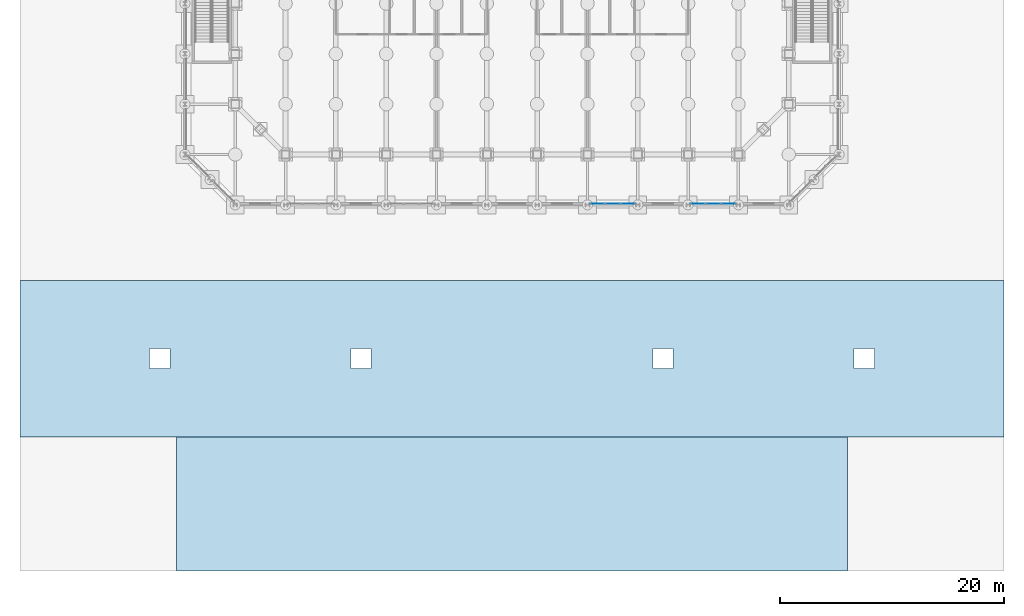
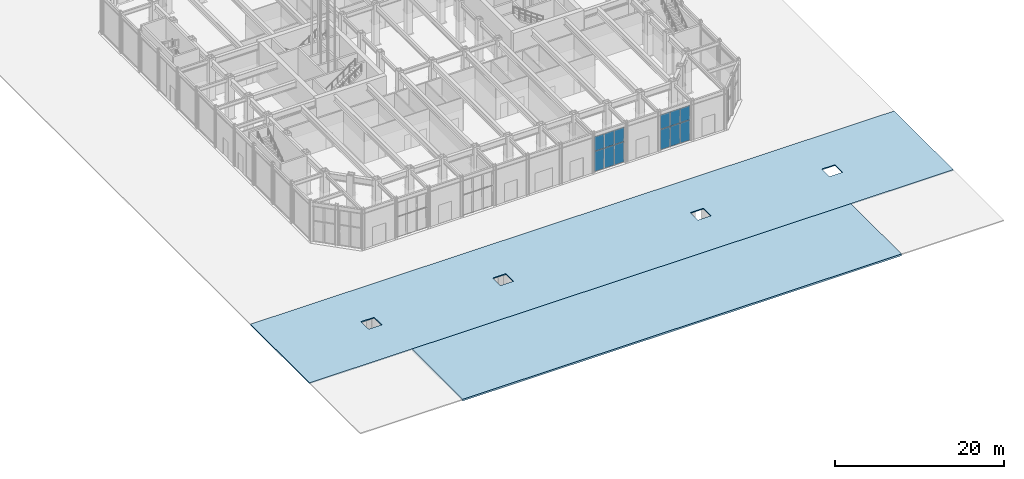
# One storey, part 14 of 39: 12 plates, 2 slabs, 2 elements without a shape of their own.
"""IFC4 building model written with IfcOpenShell, lengths in metres."""

from ifc_helpers import new_model, si_unit, direction, frame, origin, origin_2d, place, context, subcontext, project, spatial, polyline, rectangle, outline, extrude, material, layer, layer_set, type_object, element, aggregate, save


model = new_model("IFC4")

# Units and contexts
model_context = context("Model", 3, precision=1e-05, world=origin(), true_north=direction((0.0, 1.0)))
body_context = subcontext(model_context, "Body", "Model", "MODEL_VIEW")
ifc_project = project(units=[si_unit("LENGTHUNIT", "METRE"), si_unit("AREAUNIT", "SQUARE_METRE"), si_unit("VOLUMEUNIT", "CUBIC_METRE"), si_unit("PLANEANGLEUNIT", "RADIAN"), si_unit("MASSUNIT", "GRAM", prefix="KILO")], contexts=[model_context])

# Site, building, storey
site_placement = place(None, origin())
site = spatial("IfcSite", under=ifc_project, at=site_placement, CompositionType="ELEMENT")
building_placement = place(site_placement, origin())
building = spatial("IfcBuilding", under=site, at=building_placement, Name="Msasa Ring Tower", CompositionType="ELEMENT")
storey_placement = place(building_placement, origin())
storey = spatial("IfcBuildingStorey", under=building, at=storey_placement, Name="L00", CompositionType="ELEMENT", Elevation=0.0)

# Curtain wall, plates
ifc_material_1 = material(Name="Aluminium curtain wall with clear glass", Category="aluminium")
curtain_wall_type = type_object("IfcCurtainWallType", Name="CW-F PLAZA SHOPFRONT CURTAIN WALL", PredefinedType="NOTDEFINED", material=ifc_material_1)
curtain_wall_1_placement = place(storey_placement, origin())
curtain_wall_1 = element("IfcCurtainWall", 1, at=curtain_wall_1_placement, inside=storey, type_object=curtain_wall_type, Name="Plaza shopfront curtain wall S L00 07", PredefinedType="NOTDEFINED")
ifc_material_2 = material(Name="Clear laminated insulating glass unit", Category="glass")
ifc_layer_1 = layer(ifc_material_2, 0.030029296875)
ifc_layer_set_1 = layer_set([ifc_layer_1], Name="CW-F GLASS PANEL 30")
plate_type = type_object("IfcPlateType", Name="CW-F GLASS PANEL 30", PredefinedType="CURTAIN_PANEL", material=ifc_layer_set_1)
plate_1_placement = place(storey_placement, frame((7.638916015625, -29.14990234375, 0.054931640625), z_axis=(0.0, 0.0, 1.0), x_axis=(1.0, 0.0, 0.0)))
plate_1 = element("IfcPlate", 2, at=plate_1_placement, type_object=plate_type, Name="CW-F panel 1.1", PredefinedType="CURTAIN_PANEL", context=body_context, shape_type="SweptSolid", body=[
    extrude(rectangle(XDim=1.29248046875, YDim=0.030029296875, at=origin_2d()), origin(), (0.0, 0.0, 1.0), 2.91748046875),
])
plate_2_placement = place(storey_placement, frame((7.638916015625, -29.14990234375, 3.027587890625), z_axis=(0.0, 0.0, 1.0), x_axis=(1.0, 0.0, 0.0)))
plate_2 = element("IfcPlate", 3, at=plate_2_placement, type_object=plate_type, Name="CW-F panel 1.2", PredefinedType="CURTAIN_PANEL", context=body_context, shape_type="SweptSolid", body=[
    extrude(rectangle(XDim=1.29248046875, YDim=0.030029296875, at=origin_2d()), origin(), (0.0, 0.0, 1.0), 2.05029296875),
])
plate_3_placement = place(storey_placement, frame((9.0, -29.14990234375, 0.054931640625), z_axis=(0.0, 0.0, 1.0), x_axis=(1.0, 0.0, 0.0)))
plate_3 = element("IfcPlate", 4, at=plate_3_placement, type_object=plate_type, Name="CW-F panel 2.1", PredefinedType="CURTAIN_PANEL", context=body_context, shape_type="SweptSolid", body=[
    extrude(rectangle(XDim=1.31982421875, YDim=0.030029296875, at=origin_2d()), origin(), (0.0, 0.0, 1.0), 2.91748046875),
])
plate_4_placement = place(storey_placement, frame((9.0, -29.14990234375, 3.027587890625), z_axis=(0.0, 0.0, 1.0), x_axis=(1.0, 0.0, 0.0)))
plate_4 = element("IfcPlate", 5, at=plate_4_placement, type_object=plate_type, Name="CW-F panel 2.2", PredefinedType="CURTAIN_PANEL", context=body_context, shape_type="SweptSolid", body=[
    extrude(rectangle(XDim=1.31982421875, YDim=0.030029296875, at=origin_2d()), origin(), (0.0, 0.0, 1.0), 2.05029296875),
])
plate_5_placement = place(storey_placement, frame((10.361083984375, -29.14990234375, 0.054931640625), z_axis=(0.0, 0.0, 1.0), x_axis=(1.0, 0.0, 0.0)))
plate_5 = element("IfcPlate", 6, at=plate_5_placement, type_object=plate_type, Name="CW-F panel 3.1", PredefinedType="CURTAIN_PANEL", context=body_context, shape_type="SweptSolid", body=[
    extrude(rectangle(XDim=1.29248046875, YDim=0.030029296875, at=origin_2d()), origin(), (0.0, 0.0, 1.0), 2.91748046875),
])
plate_6_placement = place(storey_placement, frame((10.361083984375, -29.14990234375, 3.027587890625), z_axis=(0.0, 0.0, 1.0), x_axis=(1.0, 0.0, 0.0)))
plate_6 = element("IfcPlate", 7, at=plate_6_placement, type_object=plate_type, Name="CW-F panel 3.2", PredefinedType="CURTAIN_PANEL", context=body_context, shape_type="SweptSolid", body=[
    extrude(rectangle(XDim=1.29248046875, YDim=0.030029296875, at=origin_2d()), origin(), (0.0, 0.0, 1.0), 2.05029296875),
])
aggregate(curtain_wall_1, [plate_1, plate_2, plate_3, plate_4, plate_5, plate_6])

curtain_wall_2_placement = place(storey_placement, origin())
curtain_wall_2 = element("IfcCurtainWall", 8, at=curtain_wall_2_placement, inside=storey, type_object=curtain_wall_type, Name="Plaza shopfront curtain wall S L00 09", PredefinedType="NOTDEFINED")
plate_7_placement = place(storey_placement, frame((16.638916015625, -29.14990234375, 0.054931640625), z_axis=(0.0, 0.0, 1.0), x_axis=(1.0, 0.0, 0.0)))
plate_7 = element("IfcPlate", 9, at=plate_7_placement, type_object=plate_type, Name="CW-F panel 1.1", PredefinedType="CURTAIN_PANEL", context=body_context, shape_type="SweptSolid", body=[
    extrude(rectangle(XDim=1.29248046875, YDim=0.030029296875, at=origin_2d()), origin(), (0.0, 0.0, 1.0), 2.91748046875),
])
plate_8_placement = place(storey_placement, frame((16.638916015625, -29.14990234375, 3.027587890625), z_axis=(0.0, 0.0, 1.0), x_axis=(1.0, 0.0, 0.0)))
plate_8 = element("IfcPlate", 10, at=plate_8_placement, type_object=plate_type, Name="CW-F panel 1.2", PredefinedType="CURTAIN_PANEL", context=body_context, shape_type="SweptSolid", body=[
    extrude(rectangle(XDim=1.29248046875, YDim=0.030029296875, at=origin_2d()), origin(), (0.0, 0.0, 1.0), 2.05029296875),
])
plate_9_placement = place(storey_placement, frame((18.0, -29.14990234375, 0.054931640625), z_axis=(0.0, 0.0, 1.0), x_axis=(1.0, 0.0, 0.0)))
plate_9 = element("IfcPlate", 11, at=plate_9_placement, type_object=plate_type, Name="CW-F panel 2.1", PredefinedType="CURTAIN_PANEL", context=body_context, shape_type="SweptSolid", body=[
    extrude(rectangle(XDim=1.31982421875, YDim=0.030029296875, at=origin_2d()), origin(), (0.0, 0.0, 1.0), 2.91748046875),
])
plate_10_placement = place(storey_placement, frame((18.0, -29.14990234375, 3.027587890625), z_axis=(0.0, 0.0, 1.0), x_axis=(1.0, 0.0, 0.0)))
plate_10 = element("IfcPlate", 12, at=plate_10_placement, type_object=plate_type, Name="CW-F panel 2.2", PredefinedType="CURTAIN_PANEL", context=body_context, shape_type="SweptSolid", body=[
    extrude(rectangle(XDim=1.31982421875, YDim=0.030029296875, at=origin_2d()), origin(), (0.0, 0.0, 1.0), 2.05029296875),
])
plate_11_placement = place(storey_placement, frame((19.361083984375, -29.14990234375, 0.054931640625), z_axis=(0.0, 0.0, 1.0), x_axis=(1.0, 0.0, 0.0)))
plate_11 = element("IfcPlate", 13, at=plate_11_placement, type_object=plate_type, Name="CW-F panel 3.1", PredefinedType="CURTAIN_PANEL", context=body_context, shape_type="SweptSolid", body=[
    extrude(rectangle(XDim=1.29248046875, YDim=0.030029296875, at=origin_2d()), origin(), (0.0, 0.0, 1.0), 2.91748046875),
])
plate_12_placement = place(storey_placement, frame((19.361083984375, -29.14990234375, 3.027587890625), z_axis=(0.0, 0.0, 1.0), x_axis=(1.0, 0.0, 0.0)))
plate_12 = element("IfcPlate", 14, at=plate_12_placement, type_object=plate_type, Name="CW-F panel 3.2", PredefinedType="CURTAIN_PANEL", context=body_context, shape_type="SweptSolid", body=[
    extrude(rectangle(XDim=1.29248046875, YDim=0.030029296875, at=origin_2d()), origin(), (0.0, 0.0, 1.0), 2.05029296875),
])
aggregate(curtain_wall_2, [plate_7, plate_8, plate_9, plate_10, plate_11, plate_12])

# Slabs
ifc_material_3 = material(Name="Granite paving on a concrete base", Category="masonry")
ifc_layer_2 = layer(ifc_material_3, 0.14990234375)
ifc_layer_set_2 = layer_set([ifc_layer_2], Name="PV1 PLAZA PAVING 150")
slab_type_1 = type_object("IfcSlabType", Name="PV1 PLAZA PAVING 150", PredefinedType="USERDEFINED", material=ifc_layer_set_2)
slab_1_placement = place(storey_placement, frame((0.0, 0.0, -0.14990234375)))
element("IfcSlab", 15, at=slab_1_placement, inside=storey, type_object=slab_type_1, Name="Forecourt paving with tree pits", ObjectType="PAVING", PredefinedType="USERDEFINED", context=body_context, shape_type="SweptSolid", body=[
    extrude(outline(polyline([(-44.0, -50.0), (44.0, -50.0), (44.0, -36.0), (-44.0, -36.0), (-44.0, -50.0)]), holes=[polyline([(-32.39990234375, -43.89990234375), (-30.60009765625, -43.89990234375), (-30.60009765625, -42.10009765625), (-32.39990234375, -42.10009765625), (-32.39990234375, -43.89990234375)]), polyline([(-14.39990234375, -43.89990234375), (-12.60009765625, -43.89990234375), (-12.60009765625, -42.10009765625), (-14.39990234375, -42.10009765625), (-14.39990234375, -43.89990234375)]), polyline([(12.60009765625, -43.89990234375), (14.39990234375, -43.89990234375), (14.39990234375, -42.10009765625), (12.60009765625, -42.10009765625), (12.60009765625, -43.89990234375)]), polyline([(30.60009765625, -43.89990234375), (32.39990234375, -43.89990234375), (32.39990234375, -42.10009765625), (30.60009765625, -42.10009765625), (30.60009765625, -43.89990234375)])]), origin(), (0.0, 0.0, 1.0), 0.14990234375),
])
ifc_material_4 = material(Name="Granite setts on a reinforced concrete base", Category="masonry")
ifc_layer_3 = layer(ifc_material_4, 0.25)
ifc_layer_set_3 = layer_set([ifc_layer_3], Name="PV2 DROP-OFF CARRIAGEWAY PAVING 250")
slab_type_2 = type_object("IfcSlabType", Name="PV2 DROP-OFF CARRIAGEWAY PAVING 250", PredefinedType="USERDEFINED", material=ifc_layer_set_3)
slab_2_placement = place(storey_placement, frame((0.0, 0.0, -0.25)))
element("IfcSlab", 16, at=slab_2_placement, inside=storey, type_object=slab_type_2, Name="Hotel drop-off lay-by paving", ObjectType="PAVING", PredefinedType="USERDEFINED", context=body_context, shape_type="SweptSolid", body=[
    extrude(outline(polyline([(-30.0, -62.0), (30.0, -62.0), (30.0, -50.0), (-30.0, -50.0), (-30.0, -62.0)])), origin(), (0.0, 0.0, 1.0), 0.25),
])

save(model, "model.ifc")
